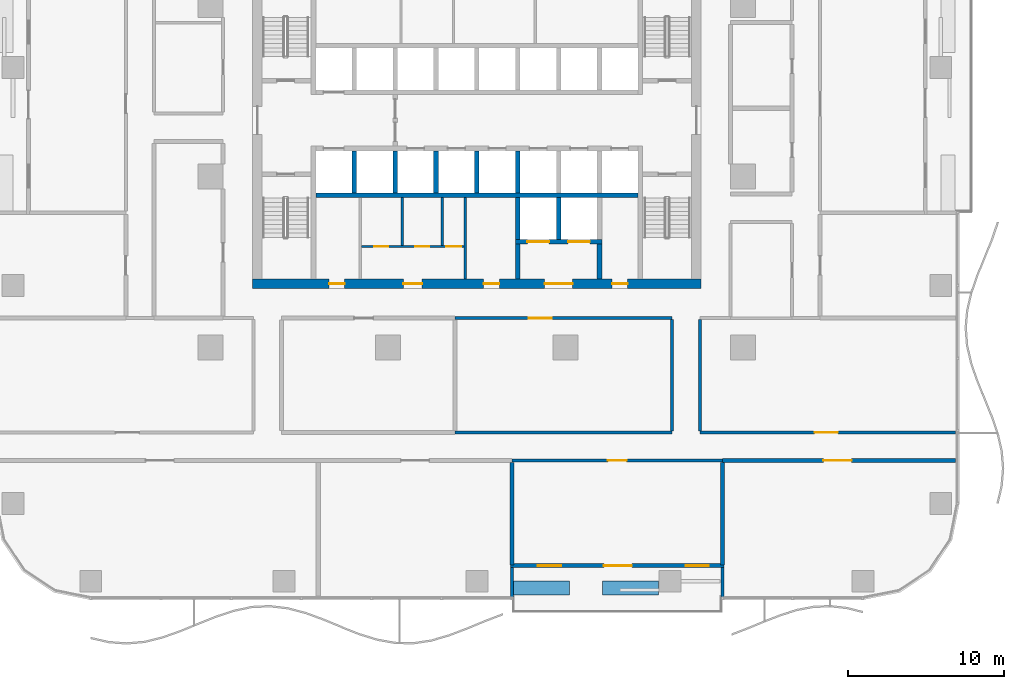
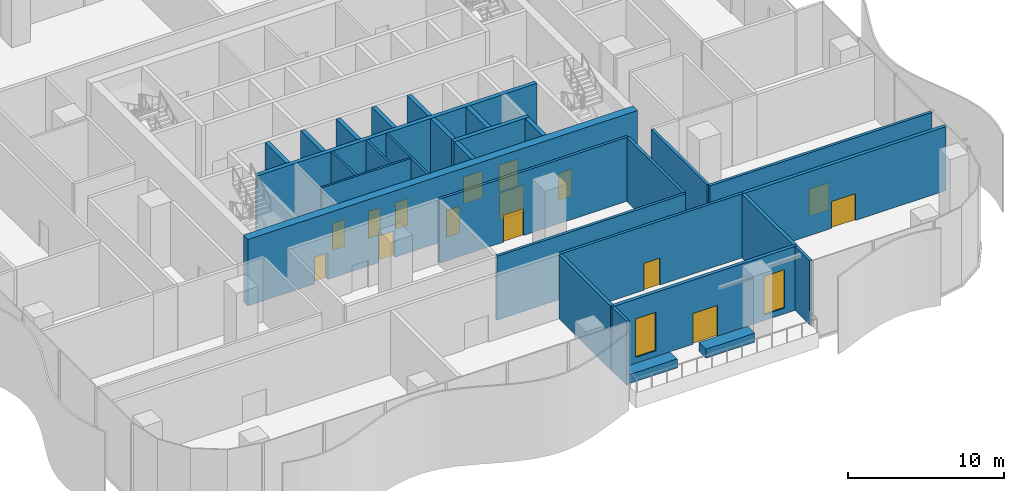
# One storey, part 8 of 21: 30 walls, 15 doors, 2 windows, 17 openings.
"""IFC4 building model written with IfcOpenShell, lengths in metres."""

from ifc_helpers import new_model, si_unit, direction, frame, frame_2d, origin, place, context, subcontext, project, spatial, rectangle, extrude, material, layer, layer_set, type_object, element, fill, save


model = new_model("IFC4")

# Units and contexts
model_context = context("Model", 3, precision=1e-05, world=origin(), true_north=direction((0.0, 1.0)))
body_context = subcontext(model_context, "Body", "Model", "MODEL_VIEW")
ifc_project = project(units=[si_unit("LENGTHUNIT", "METRE"), si_unit("AREAUNIT", "SQUARE_METRE"), si_unit("VOLUMEUNIT", "CUBIC_METRE"), si_unit("PLANEANGLEUNIT", "RADIAN"), si_unit("MASSUNIT", "GRAM", prefix="KILO")], contexts=[model_context])

# Site, building, storey
site_placement = place(None, origin())
site = spatial("IfcSite", under=ifc_project, at=site_placement, CompositionType="ELEMENT")
building_placement = place(site_placement, origin())
building = spatial("IfcBuilding", under=site, at=building_placement, Name="Mopane Tessera Tower", CompositionType="ELEMENT")
storey_placement = place(building_placement, frame((0.0, 0.0, 9.0)))
storey = spatial("IfcBuildingStorey", under=building, at=storey_placement, Name="L01", CompositionType="ELEMENT", Elevation=9.0)

# Wall, openings, doors
ifc_material_1 = material(Name="Fire-rated gypsum board partition")
ifc_layer_1 = layer(ifc_material_1, 0.14990234375)
ifc_layer_set_1 = layer_set([ifc_layer_1], Name="Fire-rated gypsum board partition")
wall_type_1 = type_object("IfcWallType", Name="Core room partition 150 mm", PredefinedType="PARTITIONING", material=ifc_layer_set_1)
wall_1_placement = place(storey_placement, frame((-7.425048828125, -4.5, 0.0), z_axis=(0.0, 0.0, 1.0), x_axis=(1.0, 0.0, 0.0)))
wall_1 = element("IfcWall", 1, at=wall_1_placement, inside=storey, type_object=wall_type_1, Name="L01 WC partition", PredefinedType="PARTITIONING", context=body_context, shape_type="SweptSolid", body=[
    extrude(rectangle(XDim=6.60009765625, YDim=0.14990234375, at=frame_2d((3.300048828125, 0.0))), origin(), (0.0, 0.0, 1.0), 5.199951171875),
])
opening_1_placement = place(wall_1_placement, frame((0.824951171875, 0.0, 0.0)))
opening_1 = element("IfcOpeningElement", 2, at=opening_1_placement, cuts=wall_1, Name="Opening WD1", PredefinedType="OPENING", context=body_context, shape_type="SweptSolid", body=[
    extrude(rectangle(XDim=0.89990234375, YDim=2.10009765625, at=frame_2d((0.449951171875, 1.050048828125))), frame((0.0, 0.0869140625, 0.0), z_axis=(0.0, -1.0, 0.0), x_axis=(1.0, 0.0, 0.0)), (0.0, 0.0, 1.0), 0.173828125),
])
opening_2_placement = place(wall_1_placement, frame((3.45751953125, 0.0, 0.0)))
opening_2 = element("IfcOpeningElement", 3, at=opening_2_placement, cuts=wall_1, Name="Opening WD1", PredefinedType="OPENING", context=body_context, shape_type="SweptSolid", body=[
    extrude(rectangle(XDim=0.89990234375, YDim=2.10009765625, at=frame_2d((0.449951171875, 1.050048828125))), frame((0.0, 0.0869140625, 0.0), z_axis=(0.0, -1.0, 0.0), x_axis=(1.0, 0.0, 0.0)), (0.0, 0.0, 1.0), 0.173828125),
])
opening_3_placement = place(wall_1_placement, frame((5.45751953125, 0.0, 0.0)))
opening_3 = element("IfcOpeningElement", 4, at=opening_3_placement, cuts=wall_1, Name="Opening WD2", PredefinedType="OPENING", context=body_context, shape_type="SweptSolid", body=[
    extrude(rectangle(XDim=0.949951171875, YDim=2.10009765625, at=frame_2d((0.47509765625, 1.050048828125))), frame((0.0, 0.0869140625, 0.0), z_axis=(0.0, -1.0, 0.0), x_axis=(1.0, 0.0, 0.0)), (0.0, 0.0, 1.0), 0.173828125),
])
ifc_material_2 = material(Name="Timber door", Category="wood")
door_type_1 = type_object("IfcDoorType", Name="Accessible WC door 950 x 2100", OperationType="SINGLE_SWING_LEFT", PredefinedType="DOOR", material=ifc_material_2)
door_1_placement = place(opening_3_placement, origin())
door_1 = element("IfcDoor", 5, at=door_1_placement, inside=storey, type_object=door_type_1, Name="L01 Accessible WC door", OperationType="SINGLE_SWING_LEFT", OverallHeight=2.10009765625, OverallWidth=0.949951171875, PredefinedType="DOOR", context=body_context, shape_type="SweptSolid", body=[
    extrude(rectangle(XDim=0.949951171875, YDim=2.10009765625, at=frame_2d((0.47509765625, 1.050048828125))), frame((0.0, 0.02490234375, 0.0), z_axis=(0.0, -1.0, 0.0), x_axis=(1.0, 0.0, 0.0)), (0.0, 0.0, 1.0), 0.050048828125),
])
fill(opening_3, door_1)
ifc_material_3 = material(Name="Timber door", Category="wood")
door_type_2 = type_object("IfcDoorType", Name="WC cubicle door 900 x 2100", OperationType="SINGLE_SWING_LEFT", PredefinedType="DOOR", material=ifc_material_3)
door_2_placement = place(opening_1_placement, origin())
door_2 = element("IfcDoor", 6, at=door_2_placement, inside=storey, type_object=door_type_2, Name="L01 Men's WC door", OperationType="SINGLE_SWING_LEFT", OverallHeight=2.10009765625, OverallWidth=0.89990234375, PredefinedType="DOOR", context=body_context, shape_type="SweptSolid", body=[
    extrude(rectangle(XDim=0.89990234375, YDim=2.10009765625, at=frame_2d((0.449951171875, 1.050048828125))), frame((0.0, 0.02490234375, 0.0), z_axis=(0.0, -1.0, 0.0), x_axis=(1.0, 0.0, 0.0)), (0.0, 0.0, 1.0), 0.050048828125),
])
fill(opening_1, door_2)
door_3_placement = place(opening_2_placement, origin())
door_3 = element("IfcDoor", 7, at=door_3_placement, inside=storey, type_object=door_type_2, Name="L01 Women's WC door", OperationType="SINGLE_SWING_LEFT", OverallHeight=2.10009765625, OverallWidth=0.89990234375, PredefinedType="DOOR", context=body_context, shape_type="SweptSolid", body=[
    extrude(rectangle(XDim=0.89990234375, YDim=2.10009765625, at=frame_2d((0.449951171875, 1.050048828125))), frame((0.0, 0.02490234375, 0.0), z_axis=(0.0, -1.0, 0.0), x_axis=(1.0, 0.0, 0.0)), (0.0, 0.0, 1.0), 0.050048828125),
])
fill(opening_2, door_3)

# Walls
for number, where, z_axis, x_axis, name in (
    (8, (-4.800048828125, -4.425048828125, 0.0), (0.0, 0.0, 1.0), (0.0, 1.0, 0.0), "L01 WC partition"),
    (9, (-2.235107421875, -4.425048828125, 0.0), (0.0, 0.0, 1.0), (0.0, 1.0, 0.0), "L01 WC partition"),
):
    element("IfcWall", number, at=place(storey_placement, frame(where, z_axis=z_axis, x_axis=x_axis)), inside=storey, type_object=wall_type_1, Name=name, PredefinedType="PARTITIONING", context=body_context, shape_type="SweptSolid", body=[
        extrude(rectangle(XDim=3.074951171875, YDim=0.14990234375, at=frame_2d((1.53759765625, 0.0))), origin(), (0.0, 0.0, 1.0), 5.199951171875),
    ])
wall_2_placement = place(storey_placement, frame((-0.75, -6.60009765625, 0.0), z_axis=(0.0, 0.0, 1.0), x_axis=(0.0, 1.0, 0.0)))
element("IfcWall", 10, at=wall_2_placement, inside=storey, type_object=wall_type_1, Name="L01 Room partition", PredefinedType="PARTITIONING", context=body_context, shape_type="SweptSolid", body=[
    extrude(rectangle(XDim=5.25, YDim=0.14990234375, at=frame_2d((2.625, 0.0))), origin(), (0.0, 0.0, 1.0), 5.199951171875),
])

# Wall, openings, doors
ifc_material_4 = material(Name="Concrete C70/85", Category="concrete")
ifc_layer_2 = layer(ifc_material_4, 0.60009765625)
ifc_layer_set_2 = layer_set([ifc_layer_2], Name="Concrete C70/85")
wall_type_2 = type_object("IfcWallType", Name="Core shear wall 600 mm", PredefinedType="SHEAR", material=ifc_layer_set_2)
wall_3_placement = place(storey_placement, frame((-14.39990234375, -6.89990234375, 0.0), z_axis=(0.0, 0.0, 1.0), x_axis=(1.0, 0.0, 0.0)))
wall_3 = element("IfcWall", 11, at=wall_3_placement, inside=storey, type_object=wall_type_2, Name="L01 Core wall south", PredefinedType="SHEAR", context=body_context, shape_type="SweptSolid", body=[
    extrude(rectangle(XDim=28.7998046875, YDim=0.60009765625, at=frame_2d((14.39990234375, 0.0))), origin(), (0.0, 0.0, 1.0), 5.199951171875),
])
opening_4_placement = place(wall_3_placement, frame((4.89990234375, 0.0, 0.0)))
opening_4 = element("IfcOpeningElement", 12, at=opening_4_placement, cuts=wall_3, Name="Opening RD1", PredefinedType="OPENING", context=body_context, shape_type="SweptSolid", body=[
    extrude(rectangle(XDim=1.0, YDim=2.10009765625, at=frame_2d((0.5, 1.050048828125))), frame((0.0, 0.31201171875, 0.0), z_axis=(0.0, -1.0, 0.0), x_axis=(1.0, 0.0, 0.0)), (0.0, 0.0, 1.0), 0.6240234375),
])
opening_5_placement = place(wall_3_placement, frame((9.675048828125, 0.0, 0.0)))
opening_5 = element("IfcOpeningElement", 13, at=opening_5_placement, cuts=wall_3, Name="Opening WD3", PredefinedType="OPENING", context=body_context, shape_type="SweptSolid", body=[
    extrude(rectangle(XDim=1.199951171875, YDim=2.10009765625, at=frame_2d((0.60009765625, 1.050048828125))), frame((0.0, 0.31201171875, 0.0), z_axis=(0.0, -1.0, 0.0), x_axis=(1.0, 0.0, 0.0)), (0.0, 0.0, 1.0), 0.6240234375),
])
opening_6_placement = place(wall_3_placement, frame((14.83740234375, 0.0, 0.0)))
opening_6 = element("IfcOpeningElement", 14, at=opening_6_placement, cuts=wall_3, Name="Opening RD1", PredefinedType="OPENING", context=body_context, shape_type="SweptSolid", body=[
    extrude(rectangle(XDim=1.0, YDim=2.10009765625, at=frame_2d((0.5, 1.050048828125))), frame((0.0, 0.31201171875, 0.0), z_axis=(0.0, -1.0, 0.0), x_axis=(1.0, 0.0, 0.0)), (0.0, 0.0, 1.0), 0.6240234375),
])
opening_7_placement = place(wall_3_placement, frame((18.75, 0.0, 0.0)))
opening_7 = element("IfcOpeningElement", 15, at=opening_7_placement, cuts=wall_3, Name="Opening SD2", PredefinedType="OPENING", context=body_context, shape_type="SweptSolid", body=[
    extrude(rectangle(XDim=1.800048828125, YDim=2.10009765625, at=frame_2d((0.89990234375, 1.050048828125))), frame((0.0, 0.31201171875, 0.0), z_axis=(0.0, -1.0, 0.0), x_axis=(1.0, 0.0, 0.0)), (0.0, 0.0, 1.0), 0.6240234375),
])
opening_8_placement = place(wall_3_placement, frame((23.08740234375, 0.0, 0.0)))
opening_8 = element("IfcOpeningElement", 16, at=opening_8_placement, cuts=wall_3, Name="Opening RD1", PredefinedType="OPENING", context=body_context, shape_type="SweptSolid", body=[
    extrude(rectangle(XDim=1.0, YDim=2.10009765625, at=frame_2d((0.5, 1.050048828125))), frame((0.0, 0.31201171875, 0.0), z_axis=(0.0, -1.0, 0.0), x_axis=(1.0, 0.0, 0.0)), (0.0, 0.0, 1.0), 0.6240234375),
])
ifc_material_5 = material(Name="Steel fire door", Category="steel")
door_type_3 = type_object("IfcDoorType", Name="Core entrance double door 1800 x 2100", OperationType="DOUBLE_DOOR_SINGLE_SWING", PredefinedType="DOOR", material=ifc_material_5)
door_4_placement = place(opening_7_placement, origin())
door_4 = element("IfcDoor", 17, at=door_4_placement, inside=storey, type_object=door_type_3, Name="L01 Service lobby door", OperationType="DOUBLE_DOOR_SINGLE_SWING", OverallHeight=2.10009765625, OverallWidth=1.800048828125, PredefinedType="DOOR", context=body_context, shape_type="SweptSolid", body=[
    extrude(rectangle(XDim=1.800048828125, YDim=2.10009765625, at=frame_2d((0.89990234375, 1.050048828125))), frame((0.0, 0.02490234375, 0.0), z_axis=(0.0, -1.0, 0.0), x_axis=(1.0, 0.0, 0.0)), (0.0, 0.0, 1.0), 0.050048828125),
])
fill(opening_7, door_4)
ifc_material_6 = material(Name="Timber door", Category="wood")
door_type_4 = type_object("IfcDoorType", Name="Core room door 1000 x 2100", OperationType="SINGLE_SWING_LEFT", PredefinedType="DOOR", material=ifc_material_6)
door_5_placement = place(opening_4_placement, origin())
door_5 = element("IfcDoor", 18, at=door_5_placement, inside=storey, type_object=door_type_4, Name="L01 Room door", OperationType="SINGLE_SWING_LEFT", OverallHeight=2.10009765625, OverallWidth=1.0, PredefinedType="DOOR", context=body_context, shape_type="SweptSolid", body=[
    extrude(rectangle(XDim=1.0, YDim=2.10009765625, at=frame_2d((0.5, 1.050048828125))), frame((0.0, 0.02490234375, 0.0), z_axis=(0.0, -1.0, 0.0), x_axis=(1.0, 0.0, 0.0)), (0.0, 0.0, 1.0), 0.050048828125),
])
fill(opening_4, door_5)
door_6_placement = place(opening_6_placement, origin())
door_6 = element("IfcDoor", 19, at=door_6_placement, inside=storey, type_object=door_type_4, Name="L01 Room door", OperationType="SINGLE_SWING_LEFT", OverallHeight=2.10009765625, OverallWidth=1.0, PredefinedType="DOOR", context=body_context, shape_type="SweptSolid", body=[
    extrude(rectangle(XDim=1.0, YDim=2.10009765625, at=frame_2d((0.5, 1.050048828125))), frame((0.0, 0.02490234375, 0.0), z_axis=(0.0, -1.0, 0.0), x_axis=(1.0, 0.0, 0.0)), (0.0, 0.0, 1.0), 0.050048828125),
])
fill(opening_6, door_6)
door_7_placement = place(opening_8_placement, origin())
door_7 = element("IfcDoor", 20, at=door_7_placement, inside=storey, type_object=door_type_4, Name="L01 Room door", OperationType="SINGLE_SWING_LEFT", OverallHeight=2.10009765625, OverallWidth=1.0, PredefinedType="DOOR", context=body_context, shape_type="SweptSolid", body=[
    extrude(rectangle(XDim=1.0, YDim=2.10009765625, at=frame_2d((0.5, 1.050048828125))), frame((0.0, 0.02490234375, 0.0), z_axis=(0.0, -1.0, 0.0), x_axis=(1.0, 0.0, 0.0)), (0.0, 0.0, 1.0), 0.050048828125),
])
fill(opening_8, door_7)
ifc_material_7 = material(Name="Timber door", Category="wood")
door_type_5 = type_object("IfcDoorType", Name="WC lobby door 1200 x 2100", OperationType="SINGLE_SWING_LEFT", PredefinedType="DOOR", material=ifc_material_7)
door_8_placement = place(opening_5_placement, origin())
door_8 = element("IfcDoor", 21, at=door_8_placement, inside=storey, type_object=door_type_5, Name="L01 WC lobby door", OperationType="SINGLE_SWING_LEFT", OverallHeight=2.10009765625, OverallWidth=1.199951171875, PredefinedType="DOOR", context=body_context, shape_type="SweptSolid", body=[
    extrude(rectangle(XDim=1.199951171875, YDim=2.10009765625, at=frame_2d((0.60009765625, 1.050048828125))), frame((0.0, 0.02490234375, 0.0), z_axis=(0.0, -1.0, 0.0), x_axis=(1.0, 0.0, 0.0)), (0.0, 0.0, 1.0), 0.050048828125),
])
fill(opening_5, door_8)

# Wall, opening, door
ifc_material_8 = material(Name="Gypsum board on steel studs, two layers each face, mineral wool infill", Category="steel")
ifc_layer_3 = layer(ifc_material_8, 0.199951171875)
ifc_layer_set_3 = layer_set([ifc_layer_3], Name="Gypsum board on steel studs, two layers each face, mineral wool infill")
wall_type_3 = type_object("IfcWallType", Name="Gypsum board corridor wall 200, rated EI 60", PredefinedType="PARTITIONING", material=ifc_layer_set_3)
wall_4_placement = place(storey_placement, frame((2.2548828125, -18.25, 0.0), z_axis=(0.0, 0.0, 1.0), x_axis=(1.0, 0.0, 0.0)))
wall_4 = element("IfcWall", 22, at=wall_4_placement, inside=storey, type_object=wall_type_3, Name="Partition L01:000", PredefinedType="PARTITIONING", context=body_context, shape_type="SweptSolid", body=[
    extrude(rectangle(XDim=13.525146484375, YDim=0.199951171875, at=frame_2d((6.7626953125, 0.0))), origin(), (0.0, 0.0, 1.0), 5.0),
])
opening_9_placement = place(wall_4_placement, frame((6.16259765625, 0.0, 0.0)))
opening_9 = element("IfcOpeningElement", 23, at=opening_9_placement, cuts=wall_4, Name="Opening L01-23", PredefinedType="OPENING", context=body_context, shape_type="SweptSolid", body=[
    extrude(rectangle(XDim=1.199951171875, YDim=2.10009765625, at=frame_2d((0.60009765625, 1.050048828125))), frame((0.0, 0.112060546875, 0.0), z_axis=(0.0, -1.0, 0.0), x_axis=(1.0, 0.0, 0.0)), (0.0, 0.0, 1.0), 0.223876953125),
])
ifc_material_9 = material(Name="Timber veneered steel-framed fire door", Category="steel")
door_type_6 = type_object("IfcDoorType", Name="Fire door FD60 1200 x 2100", OperationType="SINGLE_SWING_LEFT", PredefinedType="DOOR", material=ifc_material_9)
door_9_placement = place(opening_9_placement, origin())
door_9 = element("IfcDoor", 24, at=door_9_placement, inside=storey, type_object=door_type_6, Name="Door L01-23", ObjectType="D15A", OperationType="SINGLE_SWING_LEFT", OverallHeight=2.10009765625, OverallWidth=1.199951171875, PredefinedType="DOOR", context=body_context, shape_type="SweptSolid", body=[
    extrude(rectangle(XDim=1.199951171875, YDim=2.10009765625, at=frame_2d((0.60009765625, 1.050048828125))), frame((0.0, 0.02490234375, 0.0), z_axis=(0.0, -1.0, 0.0), x_axis=(1.0, 0.0, 0.0)), (0.0, 0.0, 1.0), 0.050048828125),
])
fill(opening_9, door_9)

# Wall
wall_5_placement = place(storey_placement, frame((-1.39501953125, -16.449951171875, 0.0), z_axis=(0.0, 0.0, 1.0), x_axis=(1.0, 0.0, 0.0)))
element("IfcWall", 25, at=wall_5_placement, inside=storey, type_object=wall_type_3, Name="Partition L01:004", PredefinedType="PARTITIONING", context=body_context, shape_type="SweptSolid", body=[
    extrude(rectangle(XDim=13.93505859375, YDim=0.199951171875, at=frame_2d((6.967529296875, 0.0))), origin(), (0.0, 0.0, 1.0), 5.0),
])

# Wall, opening, door
wall_6_placement = place(storey_placement, frame((14.340087890625, -16.449951171875, 0.0), z_axis=(0.0, 0.0, 1.0), x_axis=(1.0, 0.0, 0.0)))
wall_6 = element("IfcWall", 26, at=wall_6_placement, inside=storey, type_object=wall_type_3, Name="Partition L01:005", PredefinedType="PARTITIONING", context=body_context, shape_type="SweptSolid", body=[
    extrude(rectangle(XDim=16.409912109375, YDim=0.199951171875, at=frame_2d((8.205078125, 0.0))), origin(), (0.0, 0.0, 1.0), 5.0),
])
opening_10_placement = place(wall_6_placement, frame((7.35498046875, 0.0, 0.0)))
opening_10 = element("IfcOpeningElement", 27, at=opening_10_placement, cuts=wall_6, Name="Opening L01-17", PredefinedType="OPENING", context=body_context, shape_type="SweptSolid", body=[
    extrude(rectangle(XDim=1.5, YDim=2.10009765625, at=frame_2d((0.75, 1.050048828125))), frame((0.0, 0.112060546875, 0.0), z_axis=(0.0, -1.0, 0.0), x_axis=(1.0, 0.0, 0.0)), (0.0, 0.0, 1.0), 0.223876953125),
])
ifc_material_10 = material(Name="Timber veneered steel-framed fire door", Category="steel")
door_type_7 = type_object("IfcDoorType", Name="Fire door pair FD60 1500 x 2100", OperationType="DOUBLE_DOOR_SINGLE_SWING", PredefinedType="DOOR", material=ifc_material_10)
door_10_placement = place(opening_10_placement, origin())
door_10 = element("IfcDoor", 28, at=door_10_placement, inside=storey, type_object=door_type_7, Name="Door L01-17", ObjectType="D17A", OperationType="DOUBLE_DOOR_SINGLE_SWING", OverallHeight=2.10009765625, OverallWidth=1.5, PredefinedType="DOOR", context=body_context, shape_type="SweptSolid", body=[
    extrude(rectangle(XDim=1.5, YDim=2.10009765625, at=frame_2d((0.75, 1.050048828125))), frame((0.0, 0.02490234375, 0.0), z_axis=(0.0, -1.0, 0.0), x_axis=(1.0, 0.0, 0.0)), (0.0, 0.0, 1.0), 0.050048828125),
])
fill(opening_10, door_10)

wall_7_placement = place(storey_placement, frame((-1.39501953125, -9.10009765625, 0.0), z_axis=(0.0, 0.0, 1.0), x_axis=(1.0, 0.0, 0.0)))
wall_7 = element("IfcWall", 29, at=wall_7_placement, inside=storey, type_object=wall_type_3, Name="Partition L01:010", PredefinedType="PARTITIONING", context=body_context, shape_type="SweptSolid", body=[
    extrude(rectangle(XDim=13.93505859375, YDim=0.199951171875, at=frame_2d((6.967529296875, 0.0))), origin(), (0.0, 0.0, 1.0), 5.0),
])
opening_11_placement = place(wall_7_placement, frame((4.717529296875, 0.0, 0.0)))
opening_11 = element("IfcOpeningElement", 30, at=opening_11_placement, cuts=wall_7, Name="Opening L01-14", PredefinedType="OPENING", context=body_context, shape_type="SweptSolid", body=[
    extrude(rectangle(XDim=1.5, YDim=2.10009765625, at=frame_2d((0.75, 1.050048828125))), frame((0.0, 0.112060546875, 0.0), z_axis=(0.0, -1.0, 0.0), x_axis=(1.0, 0.0, 0.0)), (0.0, 0.0, 1.0), 0.223876953125),
])
door_11_placement = place(opening_11_placement, origin())
door_11 = element("IfcDoor", 31, at=door_11_placement, inside=storey, type_object=door_type_7, Name="Door L01-14", ObjectType="D17A", OperationType="DOUBLE_DOOR_SINGLE_SWING", OverallHeight=2.10009765625, OverallWidth=1.5, PredefinedType="DOOR", context=body_context, shape_type="SweptSolid", body=[
    extrude(rectangle(XDim=1.5, YDim=2.10009765625, at=frame_2d((0.75, 1.050048828125))), frame((0.0, 0.02490234375, 0.0), z_axis=(0.0, -1.0, 0.0), x_axis=(1.0, 0.0, 0.0)), (0.0, 0.0, 1.0), 0.050048828125),
])
fill(opening_11, door_11)

# Walls
for number, where, z_axis, x_axis, name in (
    (32, (12.5400390625, -16.35009765625, 0.0), (0.0, 0.0, 1.0), (0.0, 1.0, 0.0), "Partition L01:050"),
    (33, (14.340087890625, -16.35009765625, 0.0), (0.0, 0.0, 1.0), (0.0, 1.0, 0.0), "Partition L01:051"),
):
    element("IfcWall", number, at=place(storey_placement, frame(where, z_axis=z_axis, x_axis=x_axis)), inside=storey, type_object=wall_type_3, Name=name, PredefinedType="PARTITIONING", context=body_context, shape_type="SweptSolid", body=[
        extrude(rectangle(XDim=7.150146484375, YDim=0.199951171875, at=frame_2d((3.5751953125, 0.0))), origin(), (0.0, 0.0, 1.0), 5.0),
    ])
ifc_material_11 = material(Name="Concrete C50/60", Category="concrete")
ifc_layer_4 = layer(ifc_material_11, 0.300048828125)
ifc_layer_set_4 = layer_set([ifc_layer_4], Name="Concrete C50/60")
wall_type_4 = type_object("IfcWallType", Name="Lift and stair shaft wall 300 mm", PredefinedType="SOLIDWALL", material=ifc_layer_set_4)
wall_8_placement = place(storey_placement, frame((-10.35009765625, -1.199951171875, 0.0), z_axis=(0.0, 0.0, 1.0), x_axis=(1.0, 0.0, 0.0)))
element("IfcWall", 34, at=wall_8_placement, inside=storey, type_object=wall_type_4, Name="L01 Lift shaft rear wall", PredefinedType="SOLIDWALL", context=body_context, shape_type="SweptSolid", body=[
    extrude(rectangle(XDim=20.7001953125, YDim=0.300048828125, at=frame_2d((10.35009765625, 0.0))), origin(), (0.0, 0.0, 1.0), 5.199951171875),
])
for number, where, z_axis, x_axis, name in (
    (35, (-7.875, -1.050048828125, 0.0), (0.0, 0.0, 1.0), (0.0, 1.0, 0.0), "L01 Lift shaft wall"),
    (36, (-5.25, -1.050048828125, 0.0), (0.0, 0.0, 1.0), (0.0, 1.0, 0.0), "L01 Lift shaft wall"),
    (37, (-2.625, -1.050048828125, 0.0), (0.0, 0.0, 1.0), (0.0, 1.0, 0.0), "L01 Lift shaft wall"),
    (38, (0.0, -1.050048828125, 0.0), (0.0, 0.0, 1.0), (0.0, 1.0, 0.0), "L01 Lift shaft wall"),
    (39, (2.625, -1.050048828125, 0.0), (0.0, 0.0, 1.0), (0.0, 1.0, 0.0), "L01 Lift shaft wall"),
):
    element("IfcWall", number, at=place(storey_placement, frame(where, z_axis=z_axis, x_axis=x_axis)), inside=storey, type_object=wall_type_4, Name=name, PredefinedType="SOLIDWALL", context=body_context, shape_type="SweptSolid", body=[
        extrude(rectangle(XDim=2.699951171875, YDim=0.300048828125, at=frame_2d((1.35009765625, 0.0))), origin(), (0.0, 0.0, 1.0), 5.199951171875),
    ])

# Wall, openings, doors
wall_9_placement = place(storey_placement, frame((2.47509765625, -4.199951171875, 0.0), z_axis=(0.0, 0.0, 1.0), x_axis=(1.0, 0.0, 0.0)))
wall_9 = element("IfcWall", 40, at=wall_9_placement, inside=storey, type_object=wall_type_4, Name="L01 Lift shaft front wall", PredefinedType="SOLIDWALL", context=body_context, shape_type="SweptSolid", body=[
    extrude(rectangle(XDim=5.5498046875, YDim=0.300048828125, at=frame_2d((2.77490234375, 0.0))), origin(), (0.0, 0.0, 1.0), 5.199951171875),
])
opening_12_placement = place(wall_9_placement, frame((0.762451171875, 0.0, 0.0)))
opening_12 = element("IfcOpeningElement", 41, at=opening_12_placement, cuts=wall_9, Name="Opening LD3", PredefinedType="OPENING", context=body_context, shape_type="SweptSolid", body=[
    extrude(rectangle(XDim=1.39990234375, YDim=2.10009765625, at=frame_2d((0.699951171875, 1.050048828125))), frame((0.0, 0.162109375, 0.0), z_axis=(0.0, -1.0, 0.0), x_axis=(1.0, 0.0, 0.0)), (0.0, 0.0, 1.0), 0.323974609375),
])
opening_13_placement = place(wall_9_placement, frame((3.387451171875, 0.0, 0.0)))
opening_13 = element("IfcOpeningElement", 42, at=opening_13_placement, cuts=wall_9, Name="Opening LD3", PredefinedType="OPENING", context=body_context, shape_type="SweptSolid", body=[
    extrude(rectangle(XDim=1.39990234375, YDim=2.10009765625, at=frame_2d((0.699951171875, 1.050048828125))), frame((0.0, 0.162109375, 0.0), z_axis=(0.0, -1.0, 0.0), x_axis=(1.0, 0.0, 0.0)), (0.0, 0.0, 1.0), 0.323974609375),
])
ifc_material_12 = material(Name="Stainless steel sliding door", Category="steel")
door_type_8 = type_object("IfcDoorType", Name="Service lift landing door 1400 x 2100", OperationType="DOUBLE_DOOR_SLIDING", PredefinedType="DOOR", material=ifc_material_12)
door_12_placement = place(opening_12_placement, origin())
door_12 = element("IfcDoor", 43, at=door_12_placement, inside=storey, type_object=door_type_8, Name="L01 Lift landing door SV1", OperationType="DOUBLE_DOOR_SLIDING", OverallHeight=2.10009765625, OverallWidth=1.39990234375, PredefinedType="DOOR", context=body_context, shape_type="SweptSolid", body=[
    extrude(rectangle(XDim=1.39990234375, YDim=2.10009765625, at=frame_2d((0.699951171875, 1.050048828125))), frame((0.0, 0.02490234375, 0.0), z_axis=(0.0, -1.0, 0.0), x_axis=(1.0, 0.0, 0.0)), (0.0, 0.0, 1.0), 0.050048828125),
])
fill(opening_12, door_12)
door_13_placement = place(opening_13_placement, origin())
door_13 = element("IfcDoor", 44, at=door_13_placement, inside=storey, type_object=door_type_8, Name="L01 Lift landing door SV2", OperationType="DOUBLE_DOOR_SLIDING", OverallHeight=2.10009765625, OverallWidth=1.39990234375, PredefinedType="DOOR", context=body_context, shape_type="SweptSolid", body=[
    extrude(rectangle(XDim=1.39990234375, YDim=2.10009765625, at=frame_2d((0.699951171875, 1.050048828125))), frame((0.0, 0.02490234375, 0.0), z_axis=(0.0, -1.0, 0.0), x_axis=(1.0, 0.0, 0.0)), (0.0, 0.0, 1.0), 0.050048828125),
])
fill(opening_13, door_13)

# Walls
for number, where, z_axis, x_axis, name in (
    (45, (2.625, -4.050048828125, 0.0), (0.0, 0.0, 1.0), (0.0, 1.0, 0.0), "L01 Lift shaft wall"),
    (46, (5.25, -4.050048828125, 0.0), (0.0, 0.0, 1.0), (0.0, 1.0, 0.0), "L01 Lift shaft wall"),
):
    element("IfcWall", number, at=place(storey_placement, frame(where, z_axis=z_axis, x_axis=x_axis)), inside=storey, type_object=wall_type_4, Name=name, PredefinedType="SOLIDWALL", context=body_context, shape_type="SweptSolid", body=[
        extrude(rectangle(XDim=2.699951171875, YDim=0.300048828125, at=frame_2d((1.35009765625, 0.0))), origin(), (0.0, 0.0, 1.0), 5.199951171875),
    ])
ifc_material_13 = material(Name="Concrete C50/60", Category="concrete")
ifc_layer_5 = layer(ifc_material_13, 0.300048828125)
ifc_layer_set_5 = layer_set([ifc_layer_5], Name="Concrete C50/60")
wall_type_5 = type_object("IfcWallType", Name="Lobby and refuge room wall 300 mm", PredefinedType="SOLIDWALL", material=ifc_layer_set_5)
for number, where, z_axis, x_axis, name in (
    (47, (2.625, -6.60009765625, 0.0), (0.0, 0.0, 1.0), (0.0, 1.0, 0.0), "L01 Service lobby wall"),
    (48, (7.875, -6.60009765625, 0.0), (0.0, 0.0, 1.0), (0.0, 1.0, 0.0), "L01 Service lobby wall"),
):
    element("IfcWall", number, at=place(storey_placement, frame(where, z_axis=z_axis, x_axis=x_axis)), inside=storey, type_object=wall_type_5, Name=name, PredefinedType="SOLIDWALL", context=body_context, shape_type="SweptSolid", body=[
        extrude(rectangle(XDim=2.25, YDim=0.300048828125, at=frame_2d((1.125, 0.0))), origin(), (0.0, 0.0, 1.0), 5.199951171875),
    ])
ifc_material_14 = material(Name="Reinforced concrete C32/40 with waterproofing", Category="concrete")
ifc_layer_6 = layer(ifc_material_14, 0.89990234375)
ifc_layer_set_6 = layer_set([ifc_layer_6], Name="Reinforced concrete C32/40 with waterproofing")
wall_type_6 = type_object("IfcWallType", Name="Planter trough 3600 x 900", PredefinedType="STANDARD", material=ifc_layer_set_6)
for number, where, z_axis, x_axis, name in (
    (49, (2.3544921875, -26.449951171875, 0.0), (0.0, 0.0, 1.0), (1.0, 0.0, 0.0), "e:nw:L01:N1:pl0"),
    (50, (8.079833984375, -26.449951171875, 0.0), (0.0, 0.0, 1.0), (1.0, 0.0, 0.0), "e:nw:L01:N1:pl1"),
):
    element("IfcWall", number, at=place(storey_placement, frame(where, z_axis=z_axis, x_axis=x_axis)), inside=storey, type_object=wall_type_6, Name=name, PredefinedType="STANDARD", context=body_context, shape_type="SweptSolid", body=[
        extrude(rectangle(XDim=3.60009765625, YDim=0.89990234375, at=frame_2d((1.800048828125, 0.0))), origin(), (0.0, 0.0, 1.0), 0.699951171875),
    ])

# Wall, opening, door
ifc_material_15 = material(Name="Plastered concrete blockwork C20/25", Category="masonry")
ifc_layer_7 = layer(ifc_material_15, 0.25)
ifc_layer_set_7 = layer_set([ifc_layer_7], Name="Plastered concrete blockwork C20/25")
wall_type_7 = type_object("IfcWallType", Name="Plastered blockwork wall 250, rated EI 120", PredefinedType="PARTITIONING", material=ifc_layer_set_7)
wall_10_placement = place(storey_placement, frame((15.780029296875, -18.25, 0.0), z_axis=(0.0, 0.0, 1.0), x_axis=(1.0, 0.0, 0.0)))
wall_10 = element("IfcWall", 51, at=wall_10_placement, inside=storey, type_object=wall_type_7, Name="Partition L01:002", PredefinedType="PARTITIONING", context=body_context, shape_type="SweptSolid", body=[
    extrude(rectangle(XDim=14.969970703125, YDim=0.25, at=frame_2d((7.48486328125, 0.0))), origin(), (0.0, 0.0, 1.0), 5.0),
])
opening_14_placement = place(wall_10_placement, frame((6.485107421875, 0.0, 0.0)))
opening_14 = element("IfcOpeningElement", 52, at=opening_14_placement, cuts=wall_10, Name="Opening L01-07", PredefinedType="OPENING", context=body_context, shape_type="SweptSolid", body=[
    extrude(rectangle(XDim=1.800048828125, YDim=2.10009765625, at=frame_2d((0.89990234375, 1.050048828125))), frame((0.0, 0.136962890625, 0.0), z_axis=(0.0, -1.0, 0.0), x_axis=(1.0, 0.0, 0.0)), (0.0, 0.0, 1.0), 0.27392578125),
])
ifc_material_16 = material(Name="Timber veneered steel-framed fire door", Category="steel")
door_type_9 = type_object("IfcDoorType", Name="Fire door pair FD120 1800 x 2100", OperationType="DOUBLE_DOOR_SINGLE_SWING", PredefinedType="DOOR", material=ifc_material_16)
door_14_placement = place(opening_14_placement, origin())
door_14 = element("IfcDoor", 53, at=door_14_placement, inside=storey, type_object=door_type_9, Name="Door L01-07", ObjectType="D20B", OperationType="DOUBLE_DOOR_SINGLE_SWING", OverallHeight=2.10009765625, OverallWidth=1.800048828125, PredefinedType="DOOR", context=body_context, shape_type="SweptSolid", body=[
    extrude(rectangle(XDim=1.800048828125, YDim=2.10009765625, at=frame_2d((0.89990234375, 1.050048828125))), frame((0.0, 0.02490234375, 0.0), z_axis=(0.0, -1.0, 0.0), x_axis=(1.0, 0.0, 0.0)), (0.0, 0.0, 1.0), 0.050048828125),
])
fill(opening_14, door_14)

# Walls
for number, where, z_axis, x_axis, name in (
    (54, (2.2548828125, -24.949951171875, 0.0), (0.0, 0.0, 1.0), (0.0, 1.0, 0.0), "Partition L01:048"),
    (55, (15.780029296875, -24.949951171875, 0.0), (0.0, 0.0, 1.0), (0.0, 1.0, 0.0), "Partition L01:052"),
):
    element("IfcWall", number, at=place(storey_placement, frame(where, z_axis=z_axis, x_axis=x_axis)), inside=storey, type_object=wall_type_7, Name=name, PredefinedType="PARTITIONING", context=body_context, shape_type="SweptSolid", body=[
        extrude(rectangle(XDim=6.574951171875, YDim=0.25, at=frame_2d((3.28759765625, 0.0))), origin(), (0.0, 0.0, 1.0), 5.0),
    ])
ifc_material_17 = material(Name="Blockwork with glazed tile facing", Category="masonry")
ifc_layer_8 = layer(ifc_material_17, 0.199951171875)
ifc_layer_set_8 = layer_set([ifc_layer_8], Name="Blockwork with glazed tile facing")
wall_type_8 = type_object("IfcWallType", Name="Terrace cheek wall 200", PredefinedType="STANDARD", material=ifc_layer_set_8)
for number, where, z_axis, x_axis, name in (
    (56, (2.254638671875, -27.0, 0.0), (0.0, 0.0, 1.0), (0.0, 1.0, 0.0), "e:nw:L01:N1:cheeka"),
    (57, (15.78173828125, -27.0, 0.0), (0.0, 0.0, 1.0), (0.0, 1.0, 0.0), "e:nw:L01:N1:cheekb"),
):
    element("IfcWall", number, at=place(storey_placement, frame(where, z_axis=z_axis, x_axis=x_axis)), inside=storey, type_object=wall_type_8, Name=name, PredefinedType="STANDARD", context=body_context, shape_type="SweptSolid", body=[
        extrude(rectangle(XDim=1.875, YDim=0.199951171875, at=frame_2d((0.9375, 0.0))), origin(), (0.0, 0.0, 1.0), 5.0),
    ])

# Wall, openings, windows, door
ifc_material_18 = material(Name="Blockwork with turquoise glazed tile facing", Category="masonry")
ifc_layer_9 = layer(ifc_material_18, 0.25)
ifc_layer_set_9 = layer_set([ifc_layer_9], Name="Blockwork with turquoise glazed tile facing")
wall_type_9 = type_object("IfcWallType", Name="Tile-clad external wall 250, turquoise", PredefinedType="STANDARD", material=ifc_layer_set_9)
wall_11_placement = place(storey_placement, frame((2.154541015625, -25.0, 0.0), z_axis=(0.0, 0.0, 1.0), x_axis=(1.0, 0.0, 0.0)))
wall_11 = element("IfcWall", 58, at=wall_11_placement, inside=storey, type_object=wall_type_9, Name="e:nw:L01:N1:back", PredefinedType="STANDARD", context=body_context, shape_type="SweptSolid", body=[
    extrude(rectangle(XDim=13.727294921875, YDim=0.25, at=frame_2d((6.86376953125, 0.0))), origin(), (0.0, 0.0, 1.0), 5.0),
])
opening_15_placement = place(wall_11_placement, frame((1.75, 0.0, 0.449951171875)))
opening_15 = element("IfcOpeningElement", 59, at=opening_15_placement, cuts=wall_11, Name="Opening NW011A", PredefinedType="OPENING", context=body_context, shape_type="SweptSolid", body=[
    extrude(rectangle(XDim=1.5, YDim=3.0, at=frame_2d((0.75, 1.5))), frame((0.0, 0.136962890625, 0.0), z_axis=(0.0, -1.0, 0.0), x_axis=(1.0, 0.0, 0.0)), (0.0, 0.0, 1.0), 0.27392578125),
])
opening_16_placement = place(wall_11_placement, frame((6.0, 0.0, 0.0)))
opening_16 = element("IfcOpeningElement", 60, at=opening_16_placement, cuts=wall_11, Name="Opening ND011", PredefinedType="OPENING", context=body_context, shape_type="SweptSolid", body=[
    extrude(rectangle(XDim=1.800048828125, YDim=2.39990234375, at=frame_2d((0.89990234375, 1.199951171875))), frame((0.0, 0.136962890625, 0.0), z_axis=(0.0, -1.0, 0.0), x_axis=(1.0, 0.0, 0.0)), (0.0, 0.0, 1.0), 0.27392578125),
])
opening_17_placement = place(wall_11_placement, frame((11.25, 0.0, 0.449951171875)))
opening_17 = element("IfcOpeningElement", 61, at=opening_17_placement, cuts=wall_11, Name="Opening NW011B", PredefinedType="OPENING", context=body_context, shape_type="SweptSolid", body=[
    extrude(rectangle(XDim=1.5, YDim=3.0, at=frame_2d((0.75, 1.5))), frame((0.0, 0.136962890625, 0.0), z_axis=(0.0, -1.0, 0.0), x_axis=(1.0, 0.0, 0.0)), (0.0, 0.0, 1.0), 0.27392578125),
])
ifc_material_19 = material(Name="Clear laminated glass", Category="glass")
window_type = type_object("IfcWindowType", Name="Fixed window 1500 x 3000", PartitioningType="SINGLE_PANEL", PredefinedType="WINDOW", material=ifc_material_19)
window_1_placement = place(opening_15_placement, origin())
window_1 = element("IfcWindow", 62, at=window_1_placement, inside=storey, type_object=window_type, Name="e:nw:L01:N1:win0", OverallHeight=3.0, OverallWidth=1.5, PartitioningType="SINGLE_PANEL", PredefinedType="WINDOW", context=body_context, shape_type="SweptSolid", body=[
    extrude(rectangle(XDim=1.5, YDim=3.0, at=frame_2d((0.75, 1.5))), frame((0.0, 0.030029296875, 0.0), z_axis=(0.0, -1.0, 0.0), x_axis=(1.0, 0.0, 0.0)), (0.0, 0.0, 1.0), 0.06005859375),
])
fill(opening_15, window_1)
window_2_placement = place(opening_17_placement, origin())
window_2 = element("IfcWindow", 63, at=window_2_placement, inside=storey, type_object=window_type, Name="e:nw:L01:N1:win2", OverallHeight=3.0, OverallWidth=1.5, PartitioningType="SINGLE_PANEL", PredefinedType="WINDOW", context=body_context, shape_type="SweptSolid", body=[
    extrude(rectangle(XDim=1.5, YDim=3.0, at=frame_2d((0.75, 1.5))), frame((0.0, 0.030029296875, 0.0), z_axis=(0.0, -1.0, 0.0), x_axis=(1.0, 0.0, 0.0)), (0.0, 0.0, 1.0), 0.06005859375),
])
fill(opening_17, window_2)
ifc_material_20 = material(Name="Aluminium and clear glass", Category="aluminium")
door_type_10 = type_object("IfcDoorType", Name="Terrace double door 1800 x 2400", OperationType="DOUBLE_DOOR_SINGLE_SWING", PredefinedType="DOOR", material=ifc_material_20)
door_15_placement = place(opening_16_placement, origin())
door_15 = element("IfcDoor", 64, at=door_15_placement, inside=storey, type_object=door_type_10, Name="e:nw:L01:N1:door", ObjectType="D1", OperationType="DOUBLE_DOOR_SINGLE_SWING", OverallHeight=2.39990234375, OverallWidth=1.800048828125, PredefinedType="DOOR", context=body_context, shape_type="SweptSolid", body=[
    extrude(rectangle(XDim=1.800048828125, YDim=2.39990234375, at=frame_2d((0.89990234375, 1.199951171875))), frame((0.0, 0.02490234375, 0.0), z_axis=(0.0, -1.0, 0.0), x_axis=(1.0, 0.0, 0.0)), (0.0, 0.0, 1.0), 0.050048828125),
])
fill(opening_16, door_15)

save(model, "model.ifc")
